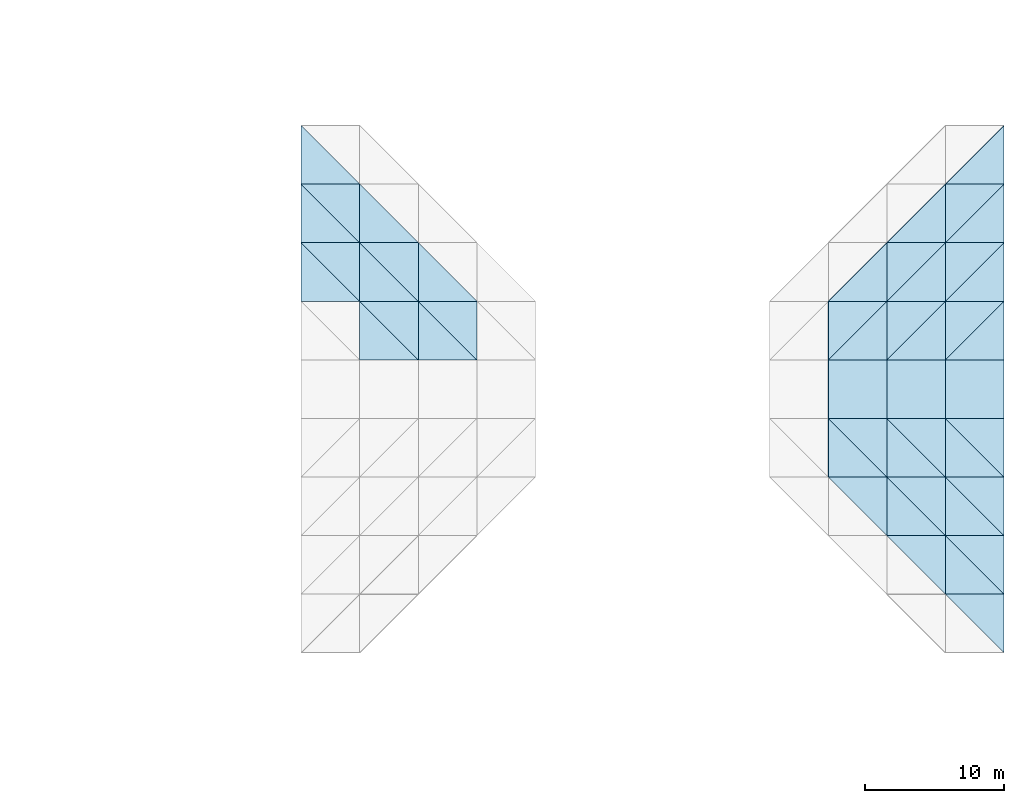
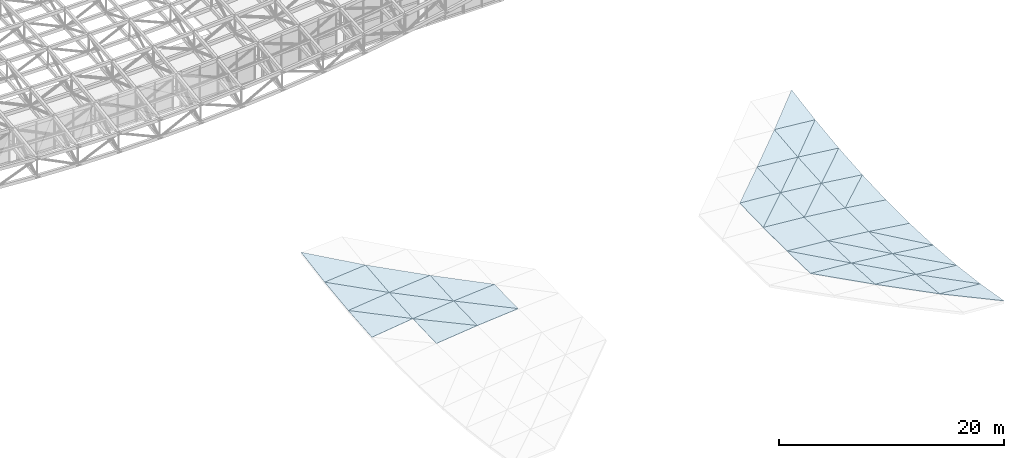
# One storey, part 96 of 111: 46 roofs.
"""IFC4 building model written with IfcOpenShell, lengths in metres."""

import ifcopenshell
import ifcopenshell.guid

model = None  # the IFC model being written
_history = None  # IfcOwnerHistory: only IFC2X3 demands one
_inside = {}  # id of a spatial element -> (the spatial element, [elements in it])
_under = {}  # id of a project, library or spatial element -> (it, [spatial elements below it])
_declared = {}  # id of a project -> (the project, [libraries it declares])
_typed = {}  # id of a type object -> (the type object, [elements of that type])
_made_of = {}  # id of a material, layer set ... -> (it, [elements and type objects made of it])


def new_model(schema):
    """Start an empty IFC model of exactly this schema.

    Asked for "IFC4X3", IfcOpenShell would pick the latest addendum, in which some entities
    have other attributes; the version numbers below select the first issue.
    IFC2X3 requires an IfcOwnerHistory on every rooted entity: one is made here for all.
    """
    global model, _history
    if schema == "IFC4X3":
        model = ifcopenshell.file(schema_version=(4, 3, 0, 0))
    else:
        model = ifcopenshell.file(schema=schema)
    _inside.clear()
    _under.clear()
    _declared.clear()
    _typed.clear()
    _made_of.clear()
    _history = None
    if model.schema == "IFC2X3":
        org = make("IfcOrganization", Name="unknown")
        user = make(
            "IfcPersonAndOrganization",
            ThePerson=make("IfcPerson", FamilyName="unknown"),
            TheOrganization=org,
        )
        app = make(
            "IfcApplication",
            ApplicationDeveloper=org,
            Version="unknown",
            ApplicationFullName="unknown",
            ApplicationIdentifier="unknown",
        )
        _history = make(
            "IfcOwnerHistory",
            OwningUser=user,
            OwningApplication=app,
            ChangeAction="ADDED",
            CreationDate=0,
        )
    return model


def make(cls, **values):
    """One entity of the class cls with the attributes given. An attribute that is None is left unset."""
    return model.create_entity(
        cls, **{name: value for name, value in values.items() if value is not None}
    )


def rooted(cls, **values):
    """An entity with a GlobalId (a new one), such as an element, a storey or a relation."""
    return make(cls, GlobalId=ifcopenshell.guid.new(), OwnerHistory=_history, **values)


def si_unit(unit_type, name, prefix=None):
    """IfcSIUnit, for example si_unit("LENGTHUNIT", "METRE", prefix="MILLI")."""
    return make("IfcSIUnit", UnitType=unit_type, Prefix=prefix, Name=name)


def assignment(units):
    """IfcUnitAssignment: the units of a project."""
    return None if units is None else make("IfcUnitAssignment", Units=units)


def point(xyz):
    """IfcCartesianPoint."""
    return None if xyz is None else make("IfcCartesianPoint", Coordinates=xyz)


def direction(xyz):
    """IfcDirection."""
    return None if xyz is None else make("IfcDirection", DirectionRatios=xyz)


def frame(location, z_axis=None, x_axis=None):
    """IfcAxis2Placement3D, a coordinate frame: its origin and axes. An axis left out is left unset."""
    return make(
        "IfcAxis2Placement3D",
        Location=point(location),
        Axis=direction(z_axis),
        RefDirection=direction(x_axis),
    )


def origin():
    """The frame at (0, 0, 0) with its axes left unset."""
    return frame((0.0, 0.0, 0.0))


def place(relative_to, where):
    """IfcLocalPlacement: puts the frame where relative to a parent placement (None: the world)."""
    return make(
        "IfcLocalPlacement", PlacementRelTo=relative_to, RelativePlacement=where
    )


def context(
    kind, dimensions, precision=None, world=None, true_north=None, identifier=None
):
    """IfcGeometricRepresentationContext, for example the 3D "Model" context."""
    return make(
        "IfcGeometricRepresentationContext",
        ContextIdentifier=identifier,
        ContextType=kind,
        CoordinateSpaceDimension=dimensions,
        Precision=precision,
        WorldCoordinateSystem=world,
        TrueNorth=true_north,
    )


def subcontext(parent, identifier, kind, view, scale=None):
    """IfcGeometricRepresentationSubContext, for example "Body" below "Model"."""
    return make(
        "IfcGeometricRepresentationSubContext",
        ContextIdentifier=identifier,
        ContextType=kind,
        ParentContext=parent,
        TargetScale=scale,
        TargetView=view,
    )


def project(units=None, contexts=None):
    """IfcProject with its units and contexts."""
    return rooted(
        "IfcProject",
        Name="project",
        RepresentationContexts=contexts,
        UnitsInContext=assignment(units),
    )


def spatial(cls, under=None, at=None, **own):
    """A site, building, storey or space (cls), placed at a placement, below another one or the project."""
    s = rooted(cls, ObjectPlacement=at, **own)
    if under is not None:
        _under.setdefault(under.id(), (under, []))[1].append(s)
    return s


def polyline(points):
    """IfcPolyline through the points."""
    return make("IfcPolyline", Points=[point(p) for p in points])


def outline(outer, holes=None, kind="AREA"):
    """IfcArbitraryClosedProfileDef: a profile drawn as a closed curve; with holes, ...WithVoids."""
    if holes is None:
        return make("IfcArbitraryClosedProfileDef", ProfileType=kind, OuterCurve=outer)
    return make(
        "IfcArbitraryProfileDefWithVoids",
        ProfileType=kind,
        OuterCurve=outer,
        InnerCurves=holes,
    )


def extrude(swept, where, along, depth):
    """IfcExtrudedAreaSolid: the profile swept, set in the frame where, extruded along a direction by depth."""
    return make(
        "IfcExtrudedAreaSolid",
        SweptArea=swept,
        Position=where,
        ExtrudedDirection=direction(along),
        Depth=depth,
    )


def shape(context_of_items, identifier, shape_type, items):
    """IfcShapeRepresentation: the items that make up one representation, for example the "Body"."""
    return make(
        "IfcShapeRepresentation",
        ContextOfItems=context_of_items,
        RepresentationIdentifier=identifier,
        RepresentationType=shape_type,
        Items=items,
    )


def material(Name=None, Category=None):
    """IfcMaterial."""
    return make("IfcMaterial", Name=Name, Category=Category)


def layer(
    of_material, thickness, ventilated=None, Name=None, Category=None, Priority=None
):
    """IfcMaterialLayer: one layer of a wall or slab, of a material (None: an air gap)."""
    return make(
        "IfcMaterialLayer",
        Material=of_material,
        LayerThickness=thickness,
        IsVentilated=ventilated,
        Name=Name,
        Category=Category,
        Priority=Priority,
    )


def layer_set(layers, Name=None):
    """IfcMaterialLayerSet."""
    return make("IfcMaterialLayerSet", MaterialLayers=layers, LayerSetName=Name)


def made_of(thing, what):
    """Note that an element or type object is made of a material, layer set ...; save() writes the relation."""
    if what is not None:
        _made_of.setdefault(what.id(), (what, []))[1].append(thing)
    return thing


def type_object(cls, material=None, **own):
    """A type object (cls), such as IfcWallType, which elements share."""
    return made_of(rooted(cls, **own), material)


def element(
    cls,
    number,
    at=None,
    inside=None,
    cuts=None,
    type_object=None,
    material=None,
    context=None,
    identifier="Body",
    shape_type=None,
    held_by="IfcProductDefinitionShape",
    body=None,
    shapes=None,
    **own,
):
    """One element of the class cls, such as IfcWall. Its Tag is "e" and its number.

    at: its placement. inside: the storey or other place that contains it. cuts: it is an
    opening in that element (IfcRelVoidsElement). A single representation is given by context,
    identifier, shape_type and body (its items); several are given by shapes. held_by: the class
    of the entity that holds the representations. save() writes the other relations.
    """
    e = rooted(cls, Tag="e%d" % number, ObjectPlacement=at, **own)
    if body is not None:
        shapes = [shape(context, identifier, shape_type, body)]
    if shapes is not None:
        e.Representation = make(held_by, Representations=shapes)
    if inside is not None:
        _inside.setdefault(inside.id(), (inside, []))[1].append(e)
    if cuts is not None:
        rooted(
            "IfcRelVoidsElement", RelatingBuildingElement=cuts, RelatedOpeningElement=e
        )
    if type_object is not None:
        _typed.setdefault(type_object.id(), (type_object, []))[1].append(e)
    return made_of(e, material)


def aggregate(whole, parts):
    """IfcRelAggregates: a whole, such as a stair, and the parts it consists of."""
    return rooted("IfcRelAggregates", RelatingObject=whole, RelatedObjects=parts)


def save(model, path):
    """Write the relations noted so far, then the file.

    IfcRelAggregates (storeys below a building ...), IfcRelContainedInSpatialStructure (elements
    in a storey), IfcRelDefinesByType, IfcRelAssociatesMaterial and IfcRelDeclares: one each for
    every whole, place, type object, material and project.
    """
    for whole, parts in _under.values():
        aggregate(whole, parts)
    for where, things in _inside.values():
        rooted(
            "IfcRelContainedInSpatialStructure",
            RelatedElements=things,
            RelatingStructure=where,
        )
    for kind, things in _typed.values():
        rooted("IfcRelDefinesByType", RelatedObjects=things, RelatingType=kind)
    for what, things in _made_of.values():
        rooted("IfcRelAssociatesMaterial", RelatedObjects=things, RelatingMaterial=what)
    for by, libraries in _declared.values():
        rooted("IfcRelDeclares", RelatingContext=by, RelatedDefinitions=libraries)
    model.write(path)


model = new_model("IFC4")

# Units and contexts
model_context = context("Model", 3, precision=1e-05, world=origin(), true_north=direction((0.0, 1.0)))
body_context = subcontext(model_context, "Body", "Model", "MODEL_VIEW")
ifc_project = project(units=[si_unit("LENGTHUNIT", "METRE"), si_unit("AREAUNIT", "SQUARE_METRE"), si_unit("VOLUMEUNIT", "CUBIC_METRE"), si_unit("PLANEANGLEUNIT", "RADIAN"), si_unit("MASSUNIT", "GRAM", prefix="KILO")], contexts=[model_context])

# Site, building, storey
site_placement = place(None, origin())
site = spatial("IfcSite", under=ifc_project, at=site_placement, CompositionType="ELEMENT")
building_placement = place(site_placement, origin())
building = spatial("IfcBuilding", under=site, at=building_placement, Name="Cumbredor Promenade Congress Hotel", CompositionType="ELEMENT")
storey_placement = place(building_placement, frame((0.0, 0.0, 15.1201171875)))
storey = spatial("IfcBuildingStorey", under=building, at=storey_placement, Name="L04", CompositionType="ELEMENT", Elevation=15.1201171875)

# Roofs
ifc_material = material(Name="Standing-seam zinc-aluminium roofing", Category="aluminium")
ifc_layer = layer(ifc_material, 0.050048828125, Name="Standing-seam zinc-aluminium roofing", Category="aluminium")
ifc_layer_set = layer_set([ifc_layer], Name="Standing-seam zinc-aluminium roofing")
roof_type = type_object("IfcRoofType", Name="Sweeping Pavilion Standing-Seam Roof Skin 50mm", PredefinedType="FREEFORM", material=ifc_layer_set)
roof_1_placement = place(storey_placement, frame((138.60009765625, 42.0, 1.92919921875), z_axis=(-0.128557595316, -0.083349897589, 0.988193169), x_axis=(0.991643748834, 0.0, 0.129006493628)))
element("IfcRoof", 1, at=roof_1_placement, inside=storey, type_object=roof_type, Name="Grand Ballroom Pavilion Standing-Seam Roof Skin 1.11.1", PredefinedType="FREEFORM", context=body_context, shape_type="SweptSolid", body=[
    extrude(outline(polyline([(0.0, 0.0), (4.2353427597492725, 0.0), (0.045700298402079224, 4.21461659081522), (0.0, 0.0)])), origin(), (0.0, 0.0, -1.0), 0.050048828125),
])
roof_2_placement = place(storey_placement, frame((142.800048828125, 42.0, 2.4755859375), z_axis=(-0.114522180024, -0.069185683203, 0.991008582971), x_axis=(0.0, 0.997571916369, 0.069643891854)))
element("IfcRoof", 2, at=roof_2_placement, inside=storey, type_object=roof_type, Name="Grand Ballroom Pavilion Standing-Seam Roof Skin 1.11.2", PredefinedType="FREEFORM", context=body_context, shape_type="SweptSolid", body=[
    extrude(outline(polyline([(0.0, 0.0), (4.210173826027003, 0.0), (4.176372054297241, 4.227766954975558), (0.0, 0.0)])), origin(), (0.0, 0.0, -1.0), 0.050048828125),
])
roof_3_placement = place(storey_placement, frame((138.60009765625, 46.199951171875, 2.283447265625), z_axis=(-0.113900782424, -0.124729377936, 0.985631368232), x_axis=(0.99338894182, 0.0, 0.114797257242)))
element("IfcRoof", 3, at=roof_3_placement, inside=storey, type_object=roof_type, Name="Grand Ballroom Pavilion Standing-Seam Roof Skin 1.12.1", PredefinedType="FREEFORM", context=body_context, shape_type="SweptSolid", body=[
    extrude(outline(polyline([(0.0, 0.0), (4.227902078496542, 0.0), (0.0610140695840502, 4.23300757747558), (0.0, 0.0)])), origin(), (0.0, 0.0, -1.0), 0.050048828125),
])
roof_4_placement = place(storey_placement, frame((142.800048828125, 46.199951171875, 2.768798828125), z_axis=(-0.092906183944, -0.103785532621, 0.99025098041), x_axis=(0.0, 0.99455255237, 0.104236368768)))
element("IfcRoof", 4, at=roof_4_placement, inside=storey, type_object=roof_type, Name="Grand Ballroom Pavilion Standing-Seam Roof Skin 1.12.2", PredefinedType="FREEFORM", context=body_context, shape_type="SweptSolid", body=[
    extrude(outline(polyline([(0.0, 0.0), (4.222955500808863, 0.0), (4.181881892607628, 4.218195427675778), (0.0, 0.0)])), origin(), (0.0, 0.0, -1.0), 0.050048828125),
])
roof_5_placement = place(storey_placement, frame((138.60009765625, 50.39990234375, 2.81494140625), z_axis=(-0.092119651231, -0.165680175508, 0.981867633289), x_axis=(0.995627668519, 0.0, 0.093410629366)))
element("IfcRoof", 5, at=roof_5_placement, inside=storey, type_object=roof_type, Name="Grand Ballroom Pavilion Standing-Seam Roof Skin 1.13.1", PredefinedType="FREEFORM", context=body_context, shape_type="SweptSolid", body=[
    extrude(outline(polyline([(0.0, 0.0), (4.218395394857564, -1.3877787807814457e-17), (0.0662038713502639, 4.259057457981418), (0.0, 0.0)])), origin(), (0.0, 0.0, -1.0), 0.050048828125),
])
roof_6_placement = place(storey_placement, frame((142.800048828125, 37.800048828125, 2.328857421875), z_axis=(-0.111594200475, -0.03469638618, 0.993147972463), x_axis=(0.993746307979, 0.0, 0.11166143192)))
element("IfcRoof", 6, at=roof_6_placement, inside=storey, type_object=roof_type, Name="Grand Ballroom Pavilion Standing-Seam Roof Skin 2.10.1", PredefinedType="FREEFORM", context=body_context, shape_type="SweptSolid", body=[
    extrude(outline(polyline([(0.0, 0.0), (4.226381661147789, 3.469446951953614e-18), (0.016383916158211703, 4.202481489634788), (0.0, 0.0)])), origin(), (0.0, 0.0, -1.0), 0.050048828125),
])
roof_7_placement = place(storey_placement, frame((147.0, 37.800048828125, 2.80078125), z_axis=(-0.105736174832, -0.028774106594, 0.993977822751), x_axis=(0.0, 0.999581257099, 0.028936317272)))
element("IfcRoof", 7, at=roof_7_placement, inside=storey, type_object=roof_type, Name="Grand Ballroom Pavilion Standing-Seam Roof Skin 2.10.2", PredefinedType="FREEFORM", context=body_context, shape_type="SweptSolid", body=[
    extrude(outline(polyline([(0.0, 0.0), (4.2017106083662, 0.0), (4.188782517397383, 4.223627908029588), (0.0, 0.0)])), origin(), (0.0, 0.0, -1.0), 0.050048828125),
])
roof_8_placement = place(storey_placement, frame((142.800048828125, 42.0, 2.4755859375), z_axis=(-0.105525995073, -0.069255038296, 0.992002018161), x_axis=(0.994389560019, 0.0, 0.105779974123)))
element("IfcRoof", 8, at=roof_8_placement, inside=storey, type_object=roof_type, Name="Grand Ballroom Pavilion Standing-Seam Roof Skin 2.11.1", PredefinedType="FREEFORM", context=body_context, shape_type="SweptSolid", body=[
    extrude(outline(polyline([(0.0, 0.0), (4.223647693762169, 0.0), (0.03101605198278485, 4.210059577949255), (0.0, 0.0)])), origin(), (0.0, 0.0, -1.0), 0.050048828125),
])
roof_9_placement = place(storey_placement, frame((147.0, 42.0, 2.92236328125), z_axis=(-0.093999717377, -0.057659322645, 0.993901129713), x_axis=(0.0, 0.998321473608, 0.057915760662)))
element("IfcRoof", 9, at=roof_9_placement, inside=storey, type_object=roof_type, Name="Grand Ballroom Pavilion Standing-Seam Roof Skin 2.11.2", PredefinedType="FREEFORM", context=body_context, shape_type="SweptSolid", body=[
    extrude(outline(polyline([(0.0, 0.0), (4.207012753813452, -3.469446951953614e-18), (4.184007640874888, 4.218630322110781), (0.0, 0.0)])), origin(), (0.0, 0.0, -1.0), 0.050048828125),
])
roof_10_placement = place(storey_placement, frame((142.800048828125, 46.199951171875, 2.768798828125), z_axis=(-0.093647962244, -0.10377828883, 0.990181865081), x_axis=(0.995557421336, 0.0, 0.094156363687)))
element("IfcRoof", 10, at=roof_10_placement, inside=storey, type_object=roof_type, Name="Grand Ballroom Pavilion Standing-Seam Roof Skin 2.12.1", PredefinedType="FREEFORM", context=body_context, shape_type="SweptSolid", body=[
    extrude(outline(polyline([(0.0, 0.0), (4.218693047598252, -1.3877787807814457e-17), (0.041446270441482164, 4.222752108338628), (0.0, 0.0)])), origin(), (0.0, 0.0, -1.0), 0.050048828125),
])
roof_11_placement = place(storey_placement, frame((147.0, 37.800048828125, 2.80078125), z_axis=(-0.087000756196, -0.028826597861, 0.995791090378), x_axis=(0.996205086038, 0.0, 0.087036926368)))
element("IfcRoof", 11, at=roof_11_placement, inside=storey, type_object=roof_type, Name="Grand Ballroom Pavilion Standing-Seam Roof Skin 3.10.1", PredefinedType="FREEFORM", context=body_context, shape_type="SweptSolid", body=[
    extrude(outline(polyline([(0.0, 0.0), (4.215950340685193, 0.0), (0.010582126301625371, 4.201697282653761), (0.0, 0.0)])), origin(), (0.0, 0.0, -1.0), 0.050048828125),
])
roof_12_placement = place(storey_placement, frame((151.199951171875, 37.800048828125, 3.167724609375), z_axis=(-0.082469829762, -0.024266052437, 0.996298090873), x_axis=(0.0, 0.999703519252, 0.024348995789)))
element("IfcRoof", 12, at=roof_12_placement, inside=storey, type_object=roof_type, Name="Grand Ballroom Pavilion Standing-Seam Roof Skin 3.10.2", PredefinedType="FREEFORM", context=body_context, shape_type="SweptSolid", body=[
    extrude(outline(polyline([(0.0, 0.0), (4.201196745830359, 0.0), (4.192731665262922, 4.214306948563339), (0.0, 0.0)])), origin(), (0.0, 0.0, -1.0), 0.050048828125),
])
roof_13_placement = place(storey_placement, frame((147.0, 42.0, 2.92236328125), z_axis=(-0.082356592714, -0.057719016523, 0.994930101448), x_axis=(0.996591551213, 0.0, 0.082494121312)))
element("IfcRoof", 13, at=roof_13_placement, inside=storey, type_object=roof_type, Name="Grand Ballroom Pavilion Standing-Seam Roof Skin 3.11.1", PredefinedType="FREEFORM", context=body_context, shape_type="SweptSolid", body=[
    extrude(outline(polyline([(0.0, 0.0), (4.214315450259775, 0.0), (0.02009988600322135, 4.206964737828416), (0.0, 0.0)])), origin(), (0.0, 0.0, -1.0), 0.050048828125),
])
roof_14_placement = place(storey_placement, frame((180.60009765625, 25.199951171875, 3.166015625), z_axis=(0.082351838119, 0.057719039278, 0.994930493684), x_axis=(0.0, 0.998321473608, -0.057915760662)))
element("IfcRoof", 14, at=roof_14_placement, inside=storey, type_object=roof_type, Name="Grand Ballroom Pavilion Standing-Seam Roof Skin 10.7.2", PredefinedType="FREEFORM", context=body_context, shape_type="SweptSolid", body=[
    extrude(outline(polyline([(0.0, 0.0), (4.207012753813452, 0.0), (4.186877977645956, 4.214510662235857), (0.0, 0.0)])), origin(), (0.0, 0.0, -1.0), 0.050048828125),
])
roof_15_placement = place(storey_placement, frame((176.39990234375, 29.39990234375, 3.27001953125), z_axis=(0.082465071542, 0.024264652371, 0.996298518829), x_axis=(0.996591945417, 0.0, -0.082489358886)))
element("IfcRoof", 15, at=roof_15_placement, inside=storey, type_object=roof_type, Name="Grand Ballroom Pavilion Standing-Seam Roof Skin 10.8.1", PredefinedType="FREEFORM", context=body_context, shape_type="SweptSolid", body=[
    extrude(outline(polyline([(0.0, 0.0), (4.21455875879208, 0.0), (0.00843824252275894, 4.201432340315802), (0.0, 0.0)])), origin(), (0.0, 0.0, -1.0), 0.050048828125),
])
roof_16_placement = place(storey_placement, frame((180.60009765625, 29.39990234375, 2.92236328125), z_axis=(0.086995741664, 0.02882493636, 0.995791576574), x_axis=(0.0, 0.999581305746, -0.028934636728)))
element("IfcRoof", 16, at=roof_16_placement, inside=storey, type_object=roof_type, Name="Grand Ballroom Pavilion Standing-Seam Roof Skin 10.8.2", PredefinedType="FREEFORM", context=body_context, shape_type="SweptSolid", body=[
    extrude(outline(polyline([(0.0, 0.0), (4.201954646764985, 3.469446951953614e-18), (4.191337273961865, 4.216180186321637), (0.0, 0.0)])), origin(), (0.0, 0.0, -1.0), 0.050048828125),
])
roof_17_placement = place(storey_placement, frame((176.39990234375, 33.60009765625, 3.167724609375), z_axis=(0.08703190558, 0.0, 0.996205524684), x_axis=(0.996205524684, 0.0, -0.08703190558)))
element("IfcRoof", 17, at=roof_17_placement, inside=storey, type_object=roof_type, Name="Grand Ballroom Pavilion Standing-Seam Roof Skin 10.9", PredefinedType="FREEFORM", context=body_context, shape_type="SweptSolid", body=[
    extrude(outline(polyline([(0.0, 0.0), (4.216193554871074, 0.0), (4.216193554871074, 4.199951171874999), (0.0, 4.199951171874999), (0.0, 0.0)])), origin(), (0.0, 0.0, -1.0), 0.050048828125),
])
roof_18_placement = place(storey_placement, frame((176.39990234375, 37.800048828125, 3.167724609375), z_axis=(0.086995737462, -0.028826610544, 0.995791528478), x_axis=(0.996205524684, 0.0, -0.08703190558)))
element("IfcRoof", 18, at=roof_18_placement, inside=storey, type_object=roof_type, Name="Grand Ballroom Pavilion Standing-Seam Roof Skin 10.10.1", PredefinedType="FREEFORM", context=body_context, shape_type="SweptSolid", body=[
    extrude(outline(polyline([(0.0, 0.0), (4.216193554871074, 0.0), (4.205612039007086, 4.201697284191126), (0.0, 0.0)])), origin(), (0.0, 0.0, -1.0), 0.050048828125),
])
roof_19_placement = place(storey_placement, frame((176.39990234375, 37.800048828125, 3.167724609375), z_axis=(0.08246506872, -0.02426606203, 0.99629848473), x_axis=(0.706524799226, 0.706483731754, -0.041272809999)))
element("IfcRoof", 19, at=roof_19_placement, inside=storey, type_object=roof_type, Name="Grand Ballroom Pavilion Standing-Seam Roof Skin 10.10.2", PredefinedType="FREEFORM", context=body_context, shape_type="SweptSolid", body=[
    extrude(outline(polyline([(0.0, 0.0), (5.944866078442846, -4.40619762898109e-16), (2.9629751782156717, 2.9783942301940836), (0.0, 0.0)])), origin(), (0.0, 0.0, -1.0), 0.050048828125),
])
roof_20_placement = place(storey_placement, frame((176.39990234375, 42.0, 3.27001953125), z_axis=(0.082351838119, -0.057719039278, 0.994930493684), x_axis=(0.996591945417, 0.0, -0.082489358886)))
element("IfcRoof", 20, at=roof_20_placement, inside=storey, type_object=roof_type, Name="Grand Ballroom Pavilion Standing-Seam Roof Skin 10.11.1", PredefinedType="FREEFORM", context=body_context, shape_type="SweptSolid", body=[
    extrude(outline(polyline([(0.0, 0.0), (4.21455875879208, 0.0), (4.194460033165079, 4.20696474337226), (0.0, 0.0)])), origin(), (0.0, 0.0, -1.0), 0.050048828125),
])
roof_21_placement = place(storey_placement, frame((184.800048828125, 21.0, 3.208984375), z_axis=(0.093647962244, 0.10377828883, 0.990181865081), x_axis=(0.0, 0.99455255237, -0.104236368768)))
element("IfcRoof", 21, at=roof_21_placement, inside=storey, type_object=roof_type, Name="Grand Ballroom Pavilion Standing-Seam Roof Skin 11.6.2", PredefinedType="FREEFORM", context=body_context, shape_type="SweptSolid", body=[
    extrude(outline(polyline([(0.0, 0.0), (4.222955500808863, 0.0), (4.181551064288784, 4.218489860422835), (0.0, 0.0)])), origin(), (0.0, 0.0, -1.0), 0.050048828125),
])
roof_22_placement = place(storey_placement, frame((180.60009765625, 25.199951171875, 3.166015625), z_axis=(0.093999717377, 0.057659322645, 0.993901129713), x_axis=(0.995557421336, 0.0, -0.094156363687)))
element("IfcRoof", 22, at=roof_22_placement, inside=storey, type_object=roof_type, Name="Grand Ballroom Pavilion Standing-Seam Roof Skin 11.7.1", PredefinedType="FREEFORM", context=body_context, shape_type="SweptSolid", body=[
    extrude(outline(polyline([(0.0, 0.0), (4.218693047598252, -3.469446951953614e-18), (0.022941418691402773, 4.206950201994015), (0.0, 0.0)])), origin(), (0.0, 0.0, -1.0), 0.050048828125),
])
roof_23_placement = place(storey_placement, frame((184.800048828125, 25.199951171875, 2.768798828125), z_axis=(0.105525995073, 0.069255038296, 0.992002018161), x_axis=(0.0, 0.997571916369, -0.069643891854)))
element("IfcRoof", 23, at=roof_23_placement, inside=storey, type_object=roof_type, Name="Grand Ballroom Pavilion Standing-Seam Roof Skin 11.7.2", PredefinedType="FREEFORM", context=body_context, shape_type="SweptSolid", body=[
    extrude(outline(polyline([(0.0, 0.0), (4.210173826027003, -3.469446951953614e-18), (4.179058513016206, 4.223533080054983), (0.0, 0.0)])), origin(), (0.0, 0.0, -1.0), 0.050048828125),
])
roof_24_placement = place(storey_placement, frame((180.60009765625, 29.39990234375, 2.92236328125), z_axis=(0.10573617992, 0.028772435454, 0.993977870586), x_axis=(0.994389560019, 0.0, -0.105779974123)))
element("IfcRoof", 24, at=roof_24_placement, inside=storey, type_object=roof_type, Name="Grand Ballroom Pavilion Standing-Seam Roof Skin 11.8.1", PredefinedType="FREEFORM", context=body_context, shape_type="SweptSolid", body=[
    extrude(outline(polyline([(0.0, 0.0), (4.223647693762169, 0.0), (0.01286094411942286, 4.201934964940105), (0.0, 0.0)])), origin(), (0.0, 0.0, -1.0), 0.050048828125),
])
roof_25_placement = place(storey_placement, frame((184.800048828125, 29.39990234375, 2.4755859375), z_axis=(0.111594208283, 0.034694371845, 0.993148041955), x_axis=(0.0, 0.99939037495, -0.03491243986)))
element("IfcRoof", 25, at=roof_25_placement, inside=storey, type_object=roof_type, Name="Grand Ballroom Pavilion Standing-Seam Roof Skin 11.8.2", PredefinedType="FREEFORM", context=body_context, shape_type="SweptSolid", body=[
    extrude(outline(polyline([(0.0, 0.0), (4.202757418700786, 0.0), (4.1862814064330465, 4.226349546204869), (0.0, 0.0)])), origin(), (0.0, 0.0, -1.0), 0.050048828125),
])
roof_26_placement = place(storey_placement, frame((180.60009765625, 33.60009765625, 2.80078125), z_axis=(0.11166143192, 0.0, 0.993746307979), x_axis=(0.993746307979, 0.0, -0.11166143192)))
element("IfcRoof", 26, at=roof_26_placement, inside=storey, type_object=roof_type, Name="Grand Ballroom Pavilion Standing-Seam Roof Skin 11.9", PredefinedType="FREEFORM", context=body_context, shape_type="SweptSolid", body=[
    extrude(outline(polyline([(0.0, 0.0), (4.226381661147789, 0.0), (4.226381661147789, 4.199951171875), (0.0, 4.199951171875), (0.0, 0.0)])), origin(), (0.0, 0.0, -1.0), 0.050048828125),
])
roof_27_placement = place(storey_placement, frame((180.60009765625, 37.800048828125, 2.80078125), z_axis=(0.111594200475, -0.03469638618, 0.993147972463), x_axis=(0.993746307979, 0.0, -0.11166143192)))
element("IfcRoof", 27, at=roof_27_placement, inside=storey, type_object=roof_type, Name="Grand Ballroom Pavilion Standing-Seam Roof Skin 11.10.1", PredefinedType="FREEFORM", context=body_context, shape_type="SweptSolid", body=[
    extrude(outline(polyline([(0.0, 0.0), (4.226381661147789, -3.469446951953614e-18), (4.209997744989577, 4.202481489634788), (0.0, 0.0)])), origin(), (0.0, 0.0, -1.0), 0.050048828125),
])
roof_28_placement = place(storey_placement, frame((180.60009765625, 37.800048828125, 2.80078125), z_axis=(0.105736174832, -0.028774106594, 0.993977822751), x_axis=(0.706049355032, 0.706049355032, -0.054668240476)))
element("IfcRoof", 28, at=roof_28_placement, inside=storey, type_object=roof_type, Name="Grand Ballroom Pavilion Standing-Seam Roof Skin 11.10.2", PredefinedType="FREEFORM", context=body_context, shape_type="SweptSolid", body=[
    extrude(outline(polyline([(0.0, 0.0), (5.94852348768502, 3.0531133177191805e-16), (2.9587261403479563, 2.98333901239513), (0.0, 0.0)])), origin(), (0.0, 0.0, -1.0), 0.050048828125),
])
roof_29_placement = place(storey_placement, frame((180.60009765625, 42.0, 2.92236328125), z_axis=(0.105525995073, -0.069255038296, 0.992002018161), x_axis=(0.994389560019, 0.0, -0.105779974123)))
element("IfcRoof", 29, at=roof_29_placement, inside=storey, type_object=roof_type, Name="Grand Ballroom Pavilion Standing-Seam Roof Skin 11.11.1", PredefinedType="FREEFORM", context=body_context, shape_type="SweptSolid", body=[
    extrude(outline(polyline([(0.0, 0.0), (4.223647693762169, 0.0), (4.192631641779385, 4.210059577949255), (0.0, 0.0)])), origin(), (0.0, 0.0, -1.0), 0.050048828125),
])
roof_30_placement = place(storey_placement, frame((180.60009765625, 42.0, 2.92236328125), z_axis=(0.093999717377, -0.057659322645, 0.993901129713), x_axis=(0.706870570107, 0.706870570107, -0.02584558441)))
element("IfcRoof", 30, at=roof_30_placement, inside=storey, type_object=roof_type, Name="Grand Ballroom Pavilion Standing-Seam Roof Skin 11.11.2", PredefinedType="FREEFORM", context=body_context, shape_type="SweptSolid", body=[
    extrude(outline(polyline([(0.0, 0.0), (5.94161272160446, -7.979727989493313e-17), (2.962524542067485, 2.9870394454035756), (0.0, 0.0)])), origin(), (0.0, 0.0, -1.0), 0.050048828125),
])
roof_31_placement = place(storey_placement, frame((180.60009765625, 46.199951171875, 3.166015625), z_axis=(0.093647962244, -0.10377828883, 0.990181865081), x_axis=(0.995557421336, 0.0, -0.094156363687)))
element("IfcRoof", 31, at=roof_31_placement, inside=storey, type_object=roof_type, Name="Grand Ballroom Pavilion Standing-Seam Roof Skin 11.12.1", PredefinedType="FREEFORM", context=body_context, shape_type="SweptSolid", body=[
    extrude(outline(polyline([(0.0, 0.0), (4.218693047598252, 1.3877787807814457e-17), (4.177246777156769, 4.222752108338628), (0.0, 0.0)])), origin(), (0.0, 0.0, -1.0), 0.050048828125),
])
roof_32_placement = place(storey_placement, frame((189.0, 16.800048828125, 3.523681640625), z_axis=(0.092119504237, 0.165689542007, 0.981866066533), x_axis=(0.0, 0.986058829557, -0.166397069244)))
element("IfcRoof", 32, at=roof_32_placement, inside=storey, type_object=roof_type, Name="Grand Ballroom Pavilion Standing-Seam Roof Skin 12.5.2", PredefinedType="FREEFORM", context=body_context, shape_type="SweptSolid", body=[
    extrude(outline(polyline([(0.0, 0.0), (4.259331234590252, 0.0), (4.19376363943407, 4.217885797152518), (0.0, 0.0)])), origin(), (0.0, 0.0, -1.0), 0.050048828125),
])
roof_33_placement = place(storey_placement, frame((184.800048828125, 21.0, 3.208984375), z_axis=(0.092906183944, 0.103785532621, 0.99025098041), x_axis=(0.995627668519, 0.0, -0.093410629366)))
element("IfcRoof", 33, at=roof_33_placement, inside=storey, type_object=roof_type, Name="Grand Ballroom Pavilion Standing-Seam Roof Skin 12.6.1", PredefinedType="FREEFORM", context=body_context, shape_type="SweptSolid", body=[
    extrude(outline(polyline([(0.0, 0.0), (4.218395394857564, -6.938893903907228e-18), (0.041118008971590014, 4.222755317461579), (0.0, 0.0)])), origin(), (0.0, 0.0, -1.0), 0.050048828125),
])
roof_34_placement = place(storey_placement, frame((189.0, 21.0, 2.81494140625), z_axis=(0.113900782424, 0.124729377936, 0.985631368232), x_axis=(0.0, 0.992087746619, -0.125546417741)))
element("IfcRoof", 34, at=roof_34_placement, inside=storey, type_object=roof_type, Name="Grand Ballroom Pavilion Standing-Seam Roof Skin 12.6.2", PredefinedType="FREEFORM", context=body_context, shape_type="SweptSolid", body=[
    extrude(outline(polyline([(0.0, 0.0), (4.23344727942287, -1.3877787807814457e-17), (4.172513129406218, 4.2274629524949265), (0.0, 0.0)])), origin(), (0.0, 0.0, -1.0), 0.050048828125),
])
roof_35_placement = place(storey_placement, frame((184.800048828125, 25.199951171875, 2.768798828125), z_axis=(0.114522180024, 0.069185683203, 0.991008582971), x_axis=(0.99338894182, 0.0, -0.114797257242)))
element("IfcRoof", 35, at=roof_35_placement, inside=storey, type_object=roof_type, Name="Grand Ballroom Pavilion Standing-Seam Roof Skin 12.7.1", PredefinedType="FREEFORM", context=body_context, shape_type="SweptSolid", body=[
    extrude(outline(polyline([(0.0, 0.0), (4.227902078496542, 0.0), (0.03366003563180721, 4.210039269100006), (0.0, 0.0)])), origin(), (0.0, 0.0, -1.0), 0.050048828125),
])
roof_36_placement = place(storey_placement, frame((189.0, 25.199951171875, 2.283447265625), z_axis=(0.128557595316, 0.083349897589, 0.988193169), x_axis=(0.0, 0.99646176457, -0.084047318514)))
element("IfcRoof", 36, at=roof_36_placement, inside=storey, type_object=roof_type, Name="Grand Ballroom Pavilion Standing-Seam Roof Skin 12.7.2", PredefinedType="FREEFORM", context=body_context, shape_type="SweptSolid", body=[
    extrude(outline(polyline([(0.0, 0.0), (4.214864354264433, 0.0), (4.168942015681984, 4.2350937925127115), (0.0, 0.0)])), origin(), (0.0, 0.0, -1.0), 0.050048828125),
])
roof_37_placement = place(storey_placement, frame((184.800048828125, 29.39990234375, 2.4755859375), z_axis=(0.128929155735, 0.034621053896, 0.99104926993), x_axis=(0.991643748834, 0.0, -0.129006493628)))
element("IfcRoof", 37, at=roof_37_placement, inside=storey, type_object=roof_type, Name="Grand Ballroom Pavilion Standing-Seam Roof Skin 12.8.1", PredefinedType="FREEFORM", context=body_context, shape_type="SweptSolid", body=[
    extrude(outline(polyline([(0.0, 0.0), (4.2353427597492725, -3.469446951953614e-18), (0.018928931316092083, 4.2027147911800675), (0.0, 0.0)])), origin(), (0.0, 0.0, -1.0), 0.050048828125),
])
roof_38_placement = place(storey_placement, frame((189.0, 29.39990234375, 1.92919921875), z_axis=(0.135963216815, 0.041770443432, 0.989832932231), x_axis=(0.0, 0.999110789038, -0.042161964243)))
element("IfcRoof", 38, at=roof_38_placement, inside=storey, type_object=roof_type, Name="Grand Ballroom Pavilion Standing-Seam Roof Skin 12.8.2", PredefinedType="FREEFORM", context=body_context, shape_type="SweptSolid", body=[
    extrude(outline(polyline([(0.0, 0.0), (4.203933496250459, 0.0), (4.179610077913826, 4.239317962267922), (0.0, 0.0)])), origin(), (0.0, 0.0, -1.0), 0.050048828125),
])
roof_39_placement = place(storey_placement, frame((184.800048828125, 33.60009765625, 2.328857421875), z_axis=(0.136081984521, 0.0, 0.990697579228), x_axis=(0.990697579228, 0.0, -0.136081984521)))
element("IfcRoof", 39, at=roof_39_placement, inside=storey, type_object=roof_type, Name="Grand Ballroom Pavilion Standing-Seam Roof Skin 12.9", PredefinedType="FREEFORM", context=body_context, shape_type="SweptSolid", body=[
    extrude(outline(polyline([(0.0, 0.0), (4.239387740451093, 0.0), (4.239387740451093, 4.199951171875001), (0.0, 4.199951171875001), (0.0, 0.0)])), origin(), (0.0, 0.0, -1.0), 0.050048828125),
])
roof_40_placement = place(storey_placement, frame((184.800048828125, 37.800048828125, 2.328857421875), z_axis=(0.135963203024, -0.041772867286, 0.989832831837), x_axis=(0.990697579228, 0.0, -0.136081984521)))
element("IfcRoof", 40, at=roof_40_placement, inside=storey, type_object=roof_type, Name="Grand Ballroom Pavilion Standing-Seam Roof Skin 12.10.1", PredefinedType="FREEFORM", context=body_context, shape_type="SweptSolid", body=[
    extrude(outline(polyline([(0.0, 0.0), (4.239387740451093, 0.0), (4.215267740264981, 4.203620374091224), (0.0, 0.0)])), origin(), (0.0, 0.0, -1.0), 0.050048828125),
])
roof_41_placement = place(storey_placement, frame((184.800048828125, 37.800048828125, 2.328857421875), z_axis=(0.128929146751, -0.034623063985, 0.991049200877), x_axis=(0.705511481281, 0.705511481281, -0.067134935468)))
element("IfcRoof", 41, at=roof_41_placement, inside=storey, type_object=roof_type, Name="Grand Ballroom Pavilion Standing-Seam Roof Skin 12.10.2", PredefinedType="FREEFORM", context=body_context, shape_type="SweptSolid", body=[
    extrude(outline(polyline([(0.0, 0.0), (5.953058572834092, -1.6653345369377348e-16), (2.9532631631511865, 2.989875548012985), (0.0, 0.0)])), origin(), (0.0, 0.0, -1.0), 0.050048828125),
])
roof_42_placement = place(storey_placement, frame((184.800048828125, 42.0, 2.4755859375), z_axis=(0.128557595316, -0.083349897589, 0.988193169), x_axis=(0.991643748834, 0.0, -0.129006493628)))
element("IfcRoof", 42, at=roof_42_placement, inside=storey, type_object=roof_type, Name="Grand Ballroom Pavilion Standing-Seam Roof Skin 12.11.1", PredefinedType="FREEFORM", context=body_context, shape_type="SweptSolid", body=[
    extrude(outline(polyline([(0.0, 0.0), (4.2353427597492725, 0.0), (4.1896424613471925, 4.214616590815219), (0.0, 0.0)])), origin(), (0.0, 0.0, -1.0), 0.050048828125),
])
roof_43_placement = place(storey_placement, frame((184.800048828125, 42.0, 2.4755859375), z_axis=(0.114522180024, -0.069185683203, 0.991008582971), x_axis=(0.706737101646, 0.706737101646, -0.032331692088)))
element("IfcRoof", 43, at=roof_43_placement, inside=storey, type_object=roof_type, Name="Grand Ballroom Pavilion Standing-Seam Roof Skin 12.11.2", PredefinedType="FREEFORM", context=body_context, shape_type="SweptSolid", body=[
    extrude(outline(polyline([(0.0, 0.0), (5.942734804910805, -3.469446951953614e-18), (2.958781249370723, 2.99519234169278), (0.0, 0.0)])), origin(), (0.0, 0.0, -1.0), 0.050048828125),
])
roof_44_placement = place(storey_placement, frame((184.800048828125, 46.199951171875, 2.768798828125), z_axis=(0.113900782424, -0.124729377936, 0.985631368232), x_axis=(0.99338894182, 0.0, -0.114797257242)))
element("IfcRoof", 44, at=roof_44_placement, inside=storey, type_object=roof_type, Name="Grand Ballroom Pavilion Standing-Seam Roof Skin 12.12.1", PredefinedType="FREEFORM", context=body_context, shape_type="SweptSolid", body=[
    extrude(outline(polyline([(0.0, 0.0), (4.227902078496542, 0.0), (4.166888008912492, 4.233007577475581), (0.0, 0.0)])), origin(), (0.0, 0.0, -1.0), 0.050048828125),
])
roof_45_placement = place(storey_placement, frame((184.800048828125, 46.199951171875, 2.768798828125), z_axis=(0.092906183944, -0.103785532621, 0.99025098041), x_axis=(0.707085444814, 0.707085444814, 0.007768363022)))
element("IfcRoof", 45, at=roof_45_placement, inside=storey, type_object=roof_type, Name="Grand Ballroom Pavilion Standing-Seam Roof Skin 12.12.2", PredefinedType="FREEFORM", context=body_context, shape_type="SweptSolid", body=[
    extrude(outline(polyline([(0.0, 0.0), (5.939807137423268, -2.905661822261152e-16), (2.973143863688032, 2.998961274779325), (0.0, 0.0)])), origin(), (0.0, 0.0, -1.0), 0.050048828125),
])
roof_46_placement = place(storey_placement, frame((184.800048828125, 50.39990234375, 3.208984375), z_axis=(0.092119651231, -0.165680175508, 0.981867633289), x_axis=(0.995627668519, 0.0, -0.093410629366)))
element("IfcRoof", 46, at=roof_46_placement, inside=storey, type_object=roof_type, Name="Grand Ballroom Pavilion Standing-Seam Roof Skin 12.13.1", PredefinedType="FREEFORM", context=body_context, shape_type="SweptSolid", body=[
    extrude(outline(polyline([(0.0, 0.0), (4.218395394857564, 1.3877787807814457e-17), (4.152191523507299, 4.2590574579814175), (0.0, 0.0)])), origin(), (0.0, 0.0, -1.0), 0.050048828125),
])

save(model, "model.ifc")
